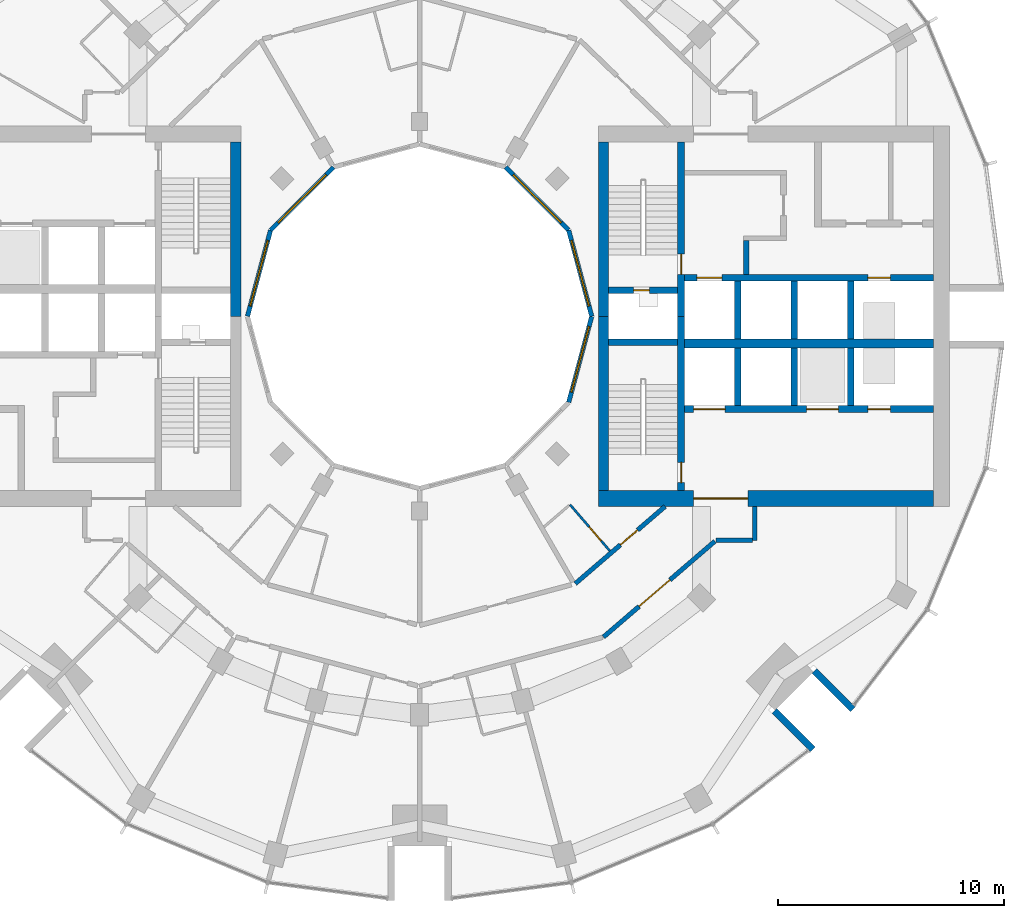
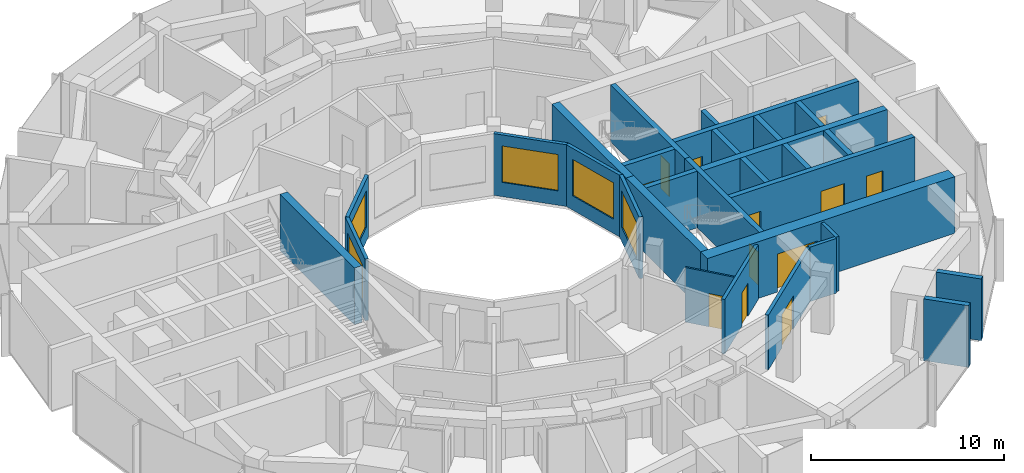
# One storey, part 10 of 15: 30 walls, 12 doors, 5 windows, 17 openings.
"""IFC4 building model written with IfcOpenShell, lengths in metres."""

import ifcopenshell
import ifcopenshell.guid

model = None  # the IFC model being written
_history = None  # IfcOwnerHistory: only IFC2X3 demands one
_inside = {}  # id of a spatial element -> (the spatial element, [elements in it])
_under = {}  # id of a project, library or spatial element -> (it, [spatial elements below it])
_declared = {}  # id of a project -> (the project, [libraries it declares])
_typed = {}  # id of a type object -> (the type object, [elements of that type])
_made_of = {}  # id of a material, layer set ... -> (it, [elements and type objects made of it])


def new_model(schema):
    """Start an empty IFC model of exactly this schema.

    Asked for "IFC4X3", IfcOpenShell would pick the latest addendum, in which some entities
    have other attributes; the version numbers below select the first issue.
    IFC2X3 requires an IfcOwnerHistory on every rooted entity: one is made here for all.
    """
    global model, _history
    if schema == "IFC4X3":
        model = ifcopenshell.file(schema_version=(4, 3, 0, 0))
    else:
        model = ifcopenshell.file(schema=schema)
    _inside.clear()
    _under.clear()
    _declared.clear()
    _typed.clear()
    _made_of.clear()
    _history = None
    if model.schema == "IFC2X3":
        org = make("IfcOrganization", Name="unknown")
        user = make(
            "IfcPersonAndOrganization",
            ThePerson=make("IfcPerson", FamilyName="unknown"),
            TheOrganization=org,
        )
        app = make(
            "IfcApplication",
            ApplicationDeveloper=org,
            Version="unknown",
            ApplicationFullName="unknown",
            ApplicationIdentifier="unknown",
        )
        _history = make(
            "IfcOwnerHistory",
            OwningUser=user,
            OwningApplication=app,
            ChangeAction="ADDED",
            CreationDate=0,
        )
    return model


def make(cls, **values):
    """One entity of the class cls with the attributes given. An attribute that is None is left unset."""
    return model.create_entity(
        cls, **{name: value for name, value in values.items() if value is not None}
    )


def rooted(cls, **values):
    """An entity with a GlobalId (a new one), such as an element, a storey or a relation."""
    return make(cls, GlobalId=ifcopenshell.guid.new(), OwnerHistory=_history, **values)


def si_unit(unit_type, name, prefix=None):
    """IfcSIUnit, for example si_unit("LENGTHUNIT", "METRE", prefix="MILLI")."""
    return make("IfcSIUnit", UnitType=unit_type, Prefix=prefix, Name=name)


def assignment(units):
    """IfcUnitAssignment: the units of a project."""
    return None if units is None else make("IfcUnitAssignment", Units=units)


def point(xyz):
    """IfcCartesianPoint."""
    return None if xyz is None else make("IfcCartesianPoint", Coordinates=xyz)


def direction(xyz):
    """IfcDirection."""
    return None if xyz is None else make("IfcDirection", DirectionRatios=xyz)


def frame(location, z_axis=None, x_axis=None):
    """IfcAxis2Placement3D, a coordinate frame: its origin and axes. An axis left out is left unset."""
    return make(
        "IfcAxis2Placement3D",
        Location=point(location),
        Axis=direction(z_axis),
        RefDirection=direction(x_axis),
    )


def frame_2d(location, x_axis=None):
    """IfcAxis2Placement2D, a coordinate frame in the plane: its origin and x axis."""
    return make(
        "IfcAxis2Placement2D", Location=point(location), RefDirection=direction(x_axis)
    )


def origin():
    """The frame at (0, 0, 0) with its axes left unset."""
    return frame((0.0, 0.0, 0.0))


def place(relative_to, where):
    """IfcLocalPlacement: puts the frame where relative to a parent placement (None: the world)."""
    return make(
        "IfcLocalPlacement", PlacementRelTo=relative_to, RelativePlacement=where
    )


def context(
    kind, dimensions, precision=None, world=None, true_north=None, identifier=None
):
    """IfcGeometricRepresentationContext, for example the 3D "Model" context."""
    return make(
        "IfcGeometricRepresentationContext",
        ContextIdentifier=identifier,
        ContextType=kind,
        CoordinateSpaceDimension=dimensions,
        Precision=precision,
        WorldCoordinateSystem=world,
        TrueNorth=true_north,
    )


def subcontext(parent, identifier, kind, view, scale=None):
    """IfcGeometricRepresentationSubContext, for example "Body" below "Model"."""
    return make(
        "IfcGeometricRepresentationSubContext",
        ContextIdentifier=identifier,
        ContextType=kind,
        ParentContext=parent,
        TargetScale=scale,
        TargetView=view,
    )


def project(units=None, contexts=None):
    """IfcProject with its units and contexts."""
    return rooted(
        "IfcProject",
        Name="project",
        RepresentationContexts=contexts,
        UnitsInContext=assignment(units),
    )


def spatial(cls, under=None, at=None, **own):
    """A site, building, storey or space (cls), placed at a placement, below another one or the project."""
    s = rooted(cls, ObjectPlacement=at, **own)
    if under is not None:
        _under.setdefault(under.id(), (under, []))[1].append(s)
    return s


def profile(cls, at=None, kind="AREA", **sizes):
    """A parametric profile (cls). Its sizes go by their IFC names, for example OverallWidth=200.0."""
    return make(cls, ProfileType=kind, Position=at, **sizes)


def rectangle(**sizes):
    """IfcRectangleProfileDef."""
    return profile("IfcRectangleProfileDef", **sizes)


def extrude(swept, where, along, depth):
    """IfcExtrudedAreaSolid: the profile swept, set in the frame where, extruded along a direction by depth."""
    return make(
        "IfcExtrudedAreaSolid",
        SweptArea=swept,
        Position=where,
        ExtrudedDirection=direction(along),
        Depth=depth,
    )


def shape(context_of_items, identifier, shape_type, items):
    """IfcShapeRepresentation: the items that make up one representation, for example the "Body"."""
    return make(
        "IfcShapeRepresentation",
        ContextOfItems=context_of_items,
        RepresentationIdentifier=identifier,
        RepresentationType=shape_type,
        Items=items,
    )


def material(Name=None, Category=None):
    """IfcMaterial."""
    return make("IfcMaterial", Name=Name, Category=Category)


def layer(
    of_material, thickness, ventilated=None, Name=None, Category=None, Priority=None
):
    """IfcMaterialLayer: one layer of a wall or slab, of a material (None: an air gap)."""
    return make(
        "IfcMaterialLayer",
        Material=of_material,
        LayerThickness=thickness,
        IsVentilated=ventilated,
        Name=Name,
        Category=Category,
        Priority=Priority,
    )


def layer_set(layers, Name=None):
    """IfcMaterialLayerSet."""
    return make("IfcMaterialLayerSet", MaterialLayers=layers, LayerSetName=Name)


def made_of(thing, what):
    """Note that an element or type object is made of a material, layer set ...; save() writes the relation."""
    if what is not None:
        _made_of.setdefault(what.id(), (what, []))[1].append(thing)
    return thing


def type_object(cls, material=None, **own):
    """A type object (cls), such as IfcWallType, which elements share."""
    return made_of(rooted(cls, **own), material)


def element(
    cls,
    number,
    at=None,
    inside=None,
    cuts=None,
    type_object=None,
    material=None,
    context=None,
    identifier="Body",
    shape_type=None,
    held_by="IfcProductDefinitionShape",
    body=None,
    shapes=None,
    **own,
):
    """One element of the class cls, such as IfcWall. Its Tag is "e" and its number.

    at: its placement. inside: the storey or other place that contains it. cuts: it is an
    opening in that element (IfcRelVoidsElement). A single representation is given by context,
    identifier, shape_type and body (its items); several are given by shapes. held_by: the class
    of the entity that holds the representations. save() writes the other relations.
    """
    e = rooted(cls, Tag="e%d" % number, ObjectPlacement=at, **own)
    if body is not None:
        shapes = [shape(context, identifier, shape_type, body)]
    if shapes is not None:
        e.Representation = make(held_by, Representations=shapes)
    if inside is not None:
        _inside.setdefault(inside.id(), (inside, []))[1].append(e)
    if cuts is not None:
        rooted(
            "IfcRelVoidsElement", RelatingBuildingElement=cuts, RelatedOpeningElement=e
        )
    if type_object is not None:
        _typed.setdefault(type_object.id(), (type_object, []))[1].append(e)
    return made_of(e, material)


def fill(opening, filler):
    """IfcRelFillsElement: the door or window that sits in an opening."""
    return rooted(
        "IfcRelFillsElement",
        RelatingOpeningElement=opening,
        RelatedBuildingElement=filler,
    )


def aggregate(whole, parts):
    """IfcRelAggregates: a whole, such as a stair, and the parts it consists of."""
    return rooted("IfcRelAggregates", RelatingObject=whole, RelatedObjects=parts)


def save(model, path):
    """Write the relations noted so far, then the file.

    IfcRelAggregates (storeys below a building ...), IfcRelContainedInSpatialStructure (elements
    in a storey), IfcRelDefinesByType, IfcRelAssociatesMaterial and IfcRelDeclares: one each for
    every whole, place, type object, material and project.
    """
    for whole, parts in _under.values():
        aggregate(whole, parts)
    for where, things in _inside.values():
        rooted(
            "IfcRelContainedInSpatialStructure",
            RelatedElements=things,
            RelatingStructure=where,
        )
    for kind, things in _typed.values():
        rooted("IfcRelDefinesByType", RelatedObjects=things, RelatingType=kind)
    for what, things in _made_of.values():
        rooted("IfcRelAssociatesMaterial", RelatedObjects=things, RelatingMaterial=what)
    for by, libraries in _declared.values():
        rooted("IfcRelDeclares", RelatingContext=by, RelatedDefinitions=libraries)
    model.write(path)


model = new_model("IFC4")

# Units and contexts
model_context = context("Model", 3, precision=1e-05, world=origin(), true_north=direction((0.0, 1.0)))
body_context = subcontext(model_context, "Body", "Model", "MODEL_VIEW")
ifc_project = project(units=[si_unit("LENGTHUNIT", "METRE"), si_unit("AREAUNIT", "SQUARE_METRE"), si_unit("VOLUMEUNIT", "CUBIC_METRE"), si_unit("PLANEANGLEUNIT", "RADIAN"), si_unit("MASSUNIT", "GRAM", prefix="KILO")], contexts=[model_context])

# Site, building, storey
site_placement = place(None, origin())
site = spatial("IfcSite", under=ifc_project, at=site_placement, CompositionType="ELEMENT")
building_placement = place(site_placement, origin())
building = spatial("IfcBuilding", under=site, at=building_placement, Name="Torre Brocal", CompositionType="ELEMENT")
storey_placement = place(building_placement, frame((0.0, 0.0, 138.0)))
storey = spatial("IfcBuildingStorey", under=building, at=storey_placement, Name="L32", CompositionType="ELEMENT", Elevation=138.0)

# Wall
ifc_material_1 = material(Name="Concrete C70", Category="concrete")
ifc_layer_1 = layer(ifc_material_1, 0.25)
ifc_layer_set_1 = layer_set([ifc_layer_1], Name="Concrete C70")
wall_type_1 = type_object("IfcWallType", Name="CORE WALL 250 C70", PredefinedType="SHEAR", material=ifc_layer_set_1)
wall_1_placement = place(storey_placement, frame((94.425048828125, 76.85009765625, 0.0), z_axis=(0.0, 0.0, 1.0), x_axis=(0.0, 1.0, 0.0)))
element("IfcWall", 1, at=wall_1_placement, inside=storey, type_object=wall_type_1, Name="Wall CW250-70", PredefinedType="SHEAR", context=body_context, shape_type="SweptSolid", body=[
    extrude(rectangle(XDim=1.5, YDim=0.25, at=frame_2d((0.75, 0.0))), origin(), (0.0, 0.0, 1.0), 3.580078125),
])

# Wall, opening, door
ifc_material_2 = material(Name="Concrete C70", Category="concrete")
ifc_layer_2 = layer(ifc_material_2, 0.300048828125)
ifc_layer_set_2 = layer_set([ifc_layer_2], Name="Concrete C70")
wall_type_2 = type_object("IfcWallType", Name="CORE WALL 300 C70", PredefinedType="SHEAR", material=ifc_layer_set_2)
wall_2_placement = place(storey_placement, frame((91.550048828125, 75.0, 0.0), z_axis=(0.0, 0.0, 1.0), x_axis=(0.0, 1.0, 0.0)))
wall_2 = element("IfcWall", 2, at=wall_2_placement, inside=storey, type_object=wall_type_2, Name="Wall CW300-70", PredefinedType="SHEAR", context=body_context, shape_type="SweptSolid", body=[
    extrude(rectangle(XDim=7.699951171875, YDim=0.300048828125, at=frame_2d((3.85009765625, 0.0))), origin(), (0.0, 0.0, 1.0), 3.580078125),
])
opening_1_placement = place(wall_2_placement, frame((1.85009765625, 0.0, 0.0)))
opening_1 = element("IfcOpeningElement", 3, at=opening_1_placement, cuts=wall_2, Name="Opening E-D02", PredefinedType="OPENING", context=body_context, shape_type="SweptSolid", body=[
    extrude(rectangle(XDim=0.89990234375, YDim=2.10009765625, at=frame_2d((0.449951171875, 1.050048828125))), frame((0.0, 0.159912109375, 0.0), z_axis=(0.0, -1.0, 0.0), x_axis=(1.0, 0.0, 0.0)), (0.0, 0.0, 1.0), 0.320068359375),
])
ifc_material_3 = material(Name="Steel A653", Category="steel")
door_type_1 = type_object("IfcDoorType", Name="STAIR DOOR FD120 900X2100", OperationType="SINGLE_SWING_RIGHT", PredefinedType="DOOR", material=ifc_material_3)
door_1_placement = place(opening_1_placement, origin())
door_1 = element("IfcDoor", 4, at=door_1_placement, inside=storey, type_object=door_type_1, Name="Door E-D02", OperationType="SINGLE_SWING_LEFT", OverallHeight=2.10009765625, OverallWidth=0.89990234375, PredefinedType="DOOR", context=body_context, shape_type="SweptSolid", body=[
    extrude(rectangle(XDim=0.89990234375, YDim=2.10009765625, at=frame_2d((0.449951171875, 1.050048828125))), frame((0.0, 0.02490234375, 0.0), z_axis=(0.0, -1.0, 0.0), x_axis=(1.0, 0.0, 0.0)), (0.0, 0.0, 1.0), 0.050048828125),
])
fill(opening_1, door_1)

wall_3_placement = place(storey_placement, frame((91.550048828125, 67.300048828125, 0.0), z_axis=(0.0, 0.0, 1.0), x_axis=(0.0, 1.0, 0.0)))
wall_3 = element("IfcWall", 5, at=wall_3_placement, inside=storey, type_object=wall_type_2, Name="Wall CW300-70", PredefinedType="SHEAR", context=body_context, shape_type="SweptSolid", body=[
    extrude(rectangle(XDim=7.699951171875, YDim=0.300048828125, at=frame_2d((3.85009765625, 0.0))), origin(), (0.0, 0.0, 1.0), 3.580078125),
])
opening_2_placement = place(wall_3_placement, frame((0.35009765625, 0.0, 0.0)))
opening_2 = element("IfcOpeningElement", 6, at=opening_2_placement, cuts=wall_3, Name="Opening E-D03", PredefinedType="OPENING", context=body_context, shape_type="SweptSolid", body=[
    extrude(rectangle(XDim=0.89990234375, YDim=2.10009765625, at=frame_2d((0.449951171875, 1.050048828125))), frame((0.0, 0.159912109375, 0.0), z_axis=(0.0, -1.0, 0.0), x_axis=(1.0, 0.0, 0.0)), (0.0, 0.0, 1.0), 0.320068359375),
])
door_2_placement = place(opening_2_placement, origin())
door_2 = element("IfcDoor", 7, at=door_2_placement, inside=storey, type_object=door_type_1, Name="Door E-D03", OperationType="SINGLE_SWING_LEFT", OverallHeight=2.10009765625, OverallWidth=0.89990234375, PredefinedType="DOOR", context=body_context, shape_type="SweptSolid", body=[
    extrude(rectangle(XDim=0.89990234375, YDim=2.10009765625, at=frame_2d((0.449951171875, 1.050048828125))), frame((0.0, 0.02490234375, 0.0), z_axis=(0.0, -1.0, 0.0), x_axis=(1.0, 0.0, 0.0)), (0.0, 0.0, 1.0), 0.050048828125),
])
fill(opening_2, door_2)

wall_4_placement = place(storey_placement, frame((88.35009765625, 76.14990234375, 0.0), z_axis=(0.0, 0.0, 1.0), x_axis=(1.0, 0.0, 0.0)))
wall_4 = element("IfcWall", 8, at=wall_4_placement, inside=storey, type_object=wall_type_2, Name="Wall CW300-70", PredefinedType="SHEAR", context=body_context, shape_type="SweptSolid", body=[
    extrude(rectangle(XDim=3.0498046875, YDim=0.300048828125, at=frame_2d((1.52490234375, 0.0))), origin(), (0.0, 0.0, 1.0), 3.580078125),
])
opening_3_placement = place(wall_4_placement, frame((1.10009765625, 0.0, 0.0)))
opening_3 = element("IfcOpeningElement", 9, at=opening_3_placement, cuts=wall_4, Name="Opening E-D01", PredefinedType="OPENING", context=body_context, shape_type="SweptSolid", body=[
    extrude(rectangle(XDim=0.699951171875, YDim=2.0, at=frame_2d((0.35009765625, 1.0))), frame((0.0, 0.159912109375, 0.0), z_axis=(0.0, -1.0, 0.0), x_axis=(1.0, 0.0, 0.0)), (0.0, 0.0, 1.0), 0.320068359375),
])
ifc_material_4 = material(Name="Steel A653", Category="steel")
door_type_2 = type_object("IfcDoorType", Name="RISER DOOR FD120 700X2000", OperationType="SINGLE_SWING_LEFT", PredefinedType="DOOR", material=ifc_material_4)
door_3_placement = place(opening_3_placement, frame((0.699951171875, 0.0, 0.0), z_axis=(0.0, 0.0, 1.0), x_axis=(-1.0, 0.0, 0.0)))
door_3 = element("IfcDoor", 10, at=door_3_placement, inside=storey, type_object=door_type_2, Name="Door E-D01", OperationType="SINGLE_SWING_RIGHT", OverallHeight=2.0, OverallWidth=0.699951171875, PredefinedType="DOOR", context=body_context, shape_type="SweptSolid", body=[
    extrude(rectangle(XDim=0.699951171875, YDim=2.0, at=frame_2d((0.35009765625, 1.0))), frame((0.0, 0.02490234375, 0.0), z_axis=(0.0, -1.0, 0.0), x_axis=(1.0, 0.0, 0.0)), (0.0, 0.0, 1.0), 0.050048828125),
])
fill(opening_3, door_3)

# Wall
wall_5_placement = place(storey_placement, frame((88.35009765625, 73.85009765625, 0.0), z_axis=(0.0, 0.0, 1.0), x_axis=(1.0, 0.0, 0.0)))
element("IfcWall", 11, at=wall_5_placement, inside=storey, type_object=wall_type_2, Name="Wall CW300-70", PredefinedType="SHEAR", context=body_context, shape_type="SweptSolid", body=[
    extrude(rectangle(XDim=3.0498046875, YDim=0.300048828125, at=frame_2d((1.52490234375, 0.0))), origin(), (0.0, 0.0, 1.0), 3.580078125),
])

# Wall, openings, doors
wall_6_placement = place(storey_placement, frame((91.699951171875, 76.699951171875, 0.0), z_axis=(0.0, 0.0, 1.0), x_axis=(1.0, 0.0, 0.0)))
wall_6 = element("IfcWall", 12, at=wall_6_placement, inside=storey, type_object=wall_type_2, Name="Wall CW300-70", PredefinedType="SHEAR", context=body_context, shape_type="SweptSolid", body=[
    extrude(rectangle(XDim=11.0, YDim=0.300048828125, at=frame_2d((5.5, 0.0))), origin(), (0.0, 0.0, 1.0), 3.580078125),
])
opening_4_placement = place(wall_6_placement, frame((0.550048828125, 0.0, 0.0)))
opening_4 = element("IfcOpeningElement", 13, at=opening_4_placement, cuts=wall_6, Name="Opening LD", PredefinedType="OPENING", context=body_context, shape_type="SweptSolid", body=[
    extrude(rectangle(XDim=1.10009765625, YDim=2.10009765625, at=frame_2d((0.550048828125, 1.050048828125))), frame((0.0, 0.159912109375, 0.0), z_axis=(0.0, -1.0, 0.0), x_axis=(1.0, 0.0, 0.0)), (0.0, 0.0, 1.0), 0.320068359375),
])
opening_5_placement = place(wall_6_placement, frame((8.10009765625, 0.0, 0.0)))
opening_5 = element("IfcOpeningElement", 14, at=opening_5_placement, cuts=wall_6, Name="Opening LD10", PredefinedType="OPENING", context=body_context, shape_type="SweptSolid", body=[
    extrude(rectangle(XDim=1.0, YDim=2.10009765625, at=frame_2d((0.5, 1.050048828125))), frame((0.0, 0.159912109375, 0.0), z_axis=(0.0, -1.0, 0.0), x_axis=(1.0, 0.0, 0.0)), (0.0, 0.0, 1.0), 0.320068359375),
])
ifc_material_5 = material(Name="Stainless steel AISI 316", Category="steel")
door_type_3 = type_object("IfcDoorType", Name="LIFT LANDING DOOR 1000X2100", OperationType="DOUBLE_DOOR_SLIDING", PredefinedType="DOOR", material=ifc_material_5)
door_4_placement = place(opening_5_placement, origin())
door_4 = element("IfcDoor", 15, at=door_4_placement, inside=storey, type_object=door_type_3, Name="Door LD10", OperationType="DOUBLE_DOOR_SLIDING", OverallHeight=2.10009765625, OverallWidth=1.0, PredefinedType="DOOR", context=body_context, shape_type="SweptSolid", body=[
    extrude(rectangle(XDim=1.0, YDim=2.10009765625, at=frame_2d((0.5, 1.050048828125))), frame((0.0, 0.02490234375, 0.0), z_axis=(0.0, -1.0, 0.0), x_axis=(1.0, 0.0, 0.0)), (0.0, 0.0, 1.0), 0.050048828125),
])
fill(opening_5, door_4)
ifc_material_6 = material(Name="Stainless steel AISI 316", Category="steel")
door_type_4 = type_object("IfcDoorType", Name="LIFT LANDING DOOR 1100X2100", OperationType="DOUBLE_DOOR_SLIDING", PredefinedType="DOOR", material=ifc_material_6)
door_5_placement = place(opening_4_placement, origin())
door_5 = element("IfcDoor", 16, at=door_5_placement, inside=storey, type_object=door_type_4, Name="Door LD", OperationType="DOUBLE_DOOR_SLIDING", OverallHeight=2.10009765625, OverallWidth=1.10009765625, PredefinedType="DOOR", context=body_context, shape_type="SweptSolid", body=[
    extrude(rectangle(XDim=1.10009765625, YDim=2.10009765625, at=frame_2d((0.550048828125, 1.050048828125))), frame((0.0, 0.02490234375, 0.0), z_axis=(0.0, -1.0, 0.0), x_axis=(1.0, 0.0, 0.0)), (0.0, 0.0, 1.0), 0.050048828125),
])
fill(opening_4, door_5)

wall_7_placement = place(storey_placement, frame((91.699951171875, 70.89990234375, 0.0), z_axis=(0.0, 0.0, 1.0), x_axis=(1.0, 0.0, 0.0)))
wall_7 = element("IfcWall", 17, at=wall_7_placement, inside=storey, type_object=wall_type_2, Name="Wall CW300-70", PredefinedType="SHEAR", context=body_context, shape_type="SweptSolid", body=[
    extrude(rectangle(XDim=11.0, YDim=0.300048828125, at=frame_2d((5.5, 0.0))), origin(), (0.0, 0.0, 1.0), 3.580078125),
])
opening_6_placement = place(wall_7_placement, frame((0.39990234375, 0.0, 0.0)))
opening_6 = element("IfcOpeningElement", 18, at=opening_6_placement, cuts=wall_7, Name="Opening LD14", PredefinedType="OPENING", context=body_context, shape_type="SweptSolid", body=[
    extrude(rectangle(XDim=1.39990234375, YDim=2.10009765625, at=frame_2d((0.699951171875, 1.050048828125))), frame((0.0, 0.159912109375, 0.0), z_axis=(0.0, -1.0, 0.0), x_axis=(1.0, 0.0, 0.0)), (0.0, 0.0, 1.0), 0.320068359375),
])
opening_7_placement = place(wall_7_placement, frame((5.39990234375, 0.0, 0.0)))
opening_7 = element("IfcOpeningElement", 19, at=opening_7_placement, cuts=wall_7, Name="Opening LD14", PredefinedType="OPENING", context=body_context, shape_type="SweptSolid", body=[
    extrude(rectangle(XDim=1.39990234375, YDim=2.10009765625, at=frame_2d((0.699951171875, 1.050048828125))), frame((0.0, 0.159912109375, 0.0), z_axis=(0.0, -1.0, 0.0), x_axis=(1.0, 0.0, 0.0)), (0.0, 0.0, 1.0), 0.320068359375),
])
opening_8_placement = place(wall_7_placement, frame((8.10009765625, 0.0, 0.0)))
opening_8 = element("IfcOpeningElement", 20, at=opening_8_placement, cuts=wall_7, Name="Opening LD10", PredefinedType="OPENING", context=body_context, shape_type="SweptSolid", body=[
    extrude(rectangle(XDim=1.0, YDim=2.10009765625, at=frame_2d((0.5, 1.050048828125))), frame((0.0, 0.159912109375, 0.0), z_axis=(0.0, -1.0, 0.0), x_axis=(1.0, 0.0, 0.0)), (0.0, 0.0, 1.0), 0.320068359375),
])
door_6_placement = place(opening_8_placement, origin())
door_6 = element("IfcDoor", 21, at=door_6_placement, inside=storey, type_object=door_type_3, Name="Door LD10", OperationType="DOUBLE_DOOR_SLIDING", OverallHeight=2.10009765625, OverallWidth=1.0, PredefinedType="DOOR", context=body_context, shape_type="SweptSolid", body=[
    extrude(rectangle(XDim=1.0, YDim=2.10009765625, at=frame_2d((0.5, 1.050048828125))), frame((0.0, 0.02490234375, 0.0), z_axis=(0.0, -1.0, 0.0), x_axis=(1.0, 0.0, 0.0)), (0.0, 0.0, 1.0), 0.050048828125),
])
fill(opening_8, door_6)
ifc_material_7 = material(Name="Stainless steel AISI 316", Category="steel")
door_type_5 = type_object("IfcDoorType", Name="LIFT LANDING DOOR 1400X2100", OperationType="DOUBLE_DOOR_SLIDING", PredefinedType="DOOR", material=ifc_material_7)
door_7_placement = place(opening_6_placement, origin())
door_7 = element("IfcDoor", 22, at=door_7_placement, inside=storey, type_object=door_type_5, Name="Door LD14", OperationType="DOUBLE_DOOR_SLIDING", OverallHeight=2.10009765625, OverallWidth=1.39990234375, PredefinedType="DOOR", context=body_context, shape_type="SweptSolid", body=[
    extrude(rectangle(XDim=1.39990234375, YDim=2.10009765625, at=frame_2d((0.699951171875, 1.050048828125))), frame((0.0, 0.02490234375, 0.0), z_axis=(0.0, -1.0, 0.0), x_axis=(1.0, 0.0, 0.0)), (0.0, 0.0, 1.0), 0.050048828125),
])
fill(opening_6, door_7)
door_8_placement = place(opening_7_placement, origin())
door_8 = element("IfcDoor", 23, at=door_8_placement, inside=storey, type_object=door_type_5, Name="Door LD14", OperationType="DOUBLE_DOOR_SLIDING", OverallHeight=2.10009765625, OverallWidth=1.39990234375, PredefinedType="DOOR", context=body_context, shape_type="SweptSolid", body=[
    extrude(rectangle(XDim=1.39990234375, YDim=2.10009765625, at=frame_2d((0.699951171875, 1.050048828125))), frame((0.0, 0.02490234375, 0.0), z_axis=(0.0, -1.0, 0.0), x_axis=(1.0, 0.0, 0.0)), (0.0, 0.0, 1.0), 0.050048828125),
])
fill(opening_7, door_8)

# Walls
for number, where, z_axis, x_axis, name in (
    (24, (94.050048828125, 74.0, 0.0), (0.0, 0.0, 1.0), (0.0, 1.0, 0.0), "Wall CW300-70"),
    (25, (96.550048828125, 74.0, 0.0), (0.0, 0.0, 1.0), (0.0, 1.0, 0.0), "Wall CW300-70"),
    (26, (99.050048828125, 74.0, 0.0), (0.0, 0.0, 1.0), (0.0, 1.0, 0.0), "Wall CW300-70"),
    (27, (94.050048828125, 71.050048828125, 0.0), (0.0, 0.0, 1.0), (0.0, 1.0, 0.0), "Wall CW300-70"),
    (28, (96.550048828125, 71.050048828125, 0.0), (0.0, 0.0, 1.0), (0.0, 1.0, 0.0), "Wall CW300-70"),
    (29, (99.050048828125, 71.050048828125, 0.0), (0.0, 0.0, 1.0), (0.0, 1.0, 0.0), "Wall CW300-70"),
):
    element("IfcWall", number, at=place(storey_placement, frame(where, z_axis=z_axis, x_axis=x_axis)), inside=storey, type_object=wall_type_2, Name=name, PredefinedType="SHEAR", context=body_context, shape_type="SweptSolid", body=[
        extrude(rectangle(XDim=2.550048828125, YDim=0.300048828125, at=frame_2d((1.27490234375, 0.0))), origin(), (0.0, 0.0, 1.0), 3.580078125),
    ])
ifc_material_8 = material(Name="Concrete C70", Category="concrete")
ifc_layer_3 = layer(ifc_material_8, 0.39990234375)
ifc_layer_set_3 = layer_set([ifc_layer_3], Name="Concrete C70")
wall_type_3 = type_object("IfcWallType", Name="CORE WALL 400 C70", PredefinedType="SHEAR", material=ifc_layer_set_3)
wall_8_placement = place(storey_placement, frame((91.699951171875, 73.800048828125, 0.0), z_axis=(0.0, 0.0, 1.0), x_axis=(1.0, 0.0, 0.0)))
element("IfcWall", 30, at=wall_8_placement, inside=storey, type_object=wall_type_3, Name="Wall CW400-70", PredefinedType="SHEAR", context=body_context, shape_type="SweptSolid", body=[
    extrude(rectangle(XDim=11.0, YDim=0.39990234375, at=frame_2d((5.5, 0.0))), origin(), (0.0, 0.0, 1.0), 3.580078125),
])
ifc_material_9 = material(Name="Concrete C70", Category="concrete")
ifc_layer_4 = layer(ifc_material_9, 0.449951171875)
ifc_layer_set_4 = layer_set([ifc_layer_4], Name="Concrete C70")
wall_type_4 = type_object("IfcWallType", Name="CORE WALL 450 C70", PredefinedType="SHEAR", material=ifc_layer_set_4)
for number, where, z_axis, x_axis, name in (
    (31, (88.125, 75.0, 0.0), (0.0, 0.0, 1.0), (0.0, 1.0, 0.0), "Wall CW450-70"),
    (32, (88.125, 67.300048828125, 0.0), (0.0, 0.0, 1.0), (0.0, 1.0, 0.0), "Wall CW450-70"),
    (33, (71.875, 82.699951171875, 0.0), (0.0, 0.0, 1.0), (0.0, -1.0, 0.0), "Wall CW450-70"),
):
    element("IfcWall", number, at=place(storey_placement, frame(where, z_axis=z_axis, x_axis=x_axis)), inside=storey, type_object=wall_type_4, Name=name, PredefinedType="SHEAR", context=body_context, shape_type="SweptSolid", body=[
        extrude(rectangle(XDim=7.699951171875, YDim=0.449951171875, at=frame_2d((3.85009765625, 0.0))), origin(), (0.0, 0.0, 1.0), 3.580078125),
    ])

# Wall, opening, door
ifc_material_10 = material(Name="Concrete C70", Category="concrete")
ifc_layer_5 = layer(ifc_material_10, 0.699951171875)
ifc_layer_set_5 = layer_set([ifc_layer_5], Name="Concrete C70")
wall_type_5 = type_object("IfcWallType", Name="CORE WALL 700 C70", PredefinedType="SHEAR", material=ifc_layer_set_5)
wall_9_placement = place(storey_placement, frame((87.89990234375, 66.949951171875, 0.0), z_axis=(0.0, 0.0, 1.0), x_axis=(1.0, 0.0, 0.0)))
wall_9 = element("IfcWall", 34, at=wall_9_placement, inside=storey, type_object=wall_type_5, Name="Wall CW700-70", PredefinedType="SHEAR", context=body_context, shape_type="SweptSolid", body=[
    extrude(rectangle(XDim=14.800048828125, YDim=0.699951171875, at=frame_2d((7.39990234375, 0.0))), origin(), (0.0, 0.0, 1.0), 3.580078125),
])
opening_9_placement = place(wall_9_placement, frame((4.199951171875, 0.0, 0.0)))
opening_9 = element("IfcOpeningElement", 35, at=opening_9_placement, cuts=wall_9, Name="Opening E-D27", PredefinedType="OPENING", context=body_context, shape_type="SweptSolid", body=[
    extrude(rectangle(XDim=2.39990234375, YDim=2.39990234375, at=frame_2d((1.199951171875, 1.199951171875))), frame((0.0, 0.35986328125, 0.0), z_axis=(0.0, -1.0, 0.0), x_axis=(1.0, 0.0, 0.0)), (0.0, 0.0, 1.0), 0.719970703125),
])
ifc_material_11 = material(Name="Steel A653", Category="steel")
door_type_6 = type_object("IfcDoorType", Name="DOUBLE FIRE DOOR FD90 2400X2400", OperationType="DOUBLE_DOOR_SINGLE_SWING", PredefinedType="DOOR", material=ifc_material_11)
door_9_placement = place(opening_9_placement, origin())
door_9 = element("IfcDoor", 36, at=door_9_placement, inside=storey, type_object=door_type_6, Name="Door E-D27", OperationType="DOUBLE_DOOR_SINGLE_SWING", OverallHeight=2.39990234375, OverallWidth=2.39990234375, PredefinedType="DOOR", context=body_context, shape_type="SweptSolid", body=[
    extrude(rectangle(XDim=2.39990234375, YDim=2.39990234375, at=frame_2d((1.199951171875, 1.199951171875))), frame((0.0, 0.02490234375, 0.0), z_axis=(0.0, -1.0, 0.0), x_axis=(1.0, 0.0, 0.0)), (0.0, 0.0, 1.0), 0.050048828125),
])
fill(opening_9, door_9)

# Walls
ifc_material_12 = material(Name="Concrete C70", Category="concrete")
ifc_layer_6 = layer(ifc_material_12, 0.300048828125)
ifc_layer_set_6 = layer_set([ifc_layer_6], Name="Concrete C70")
wall_type_6 = type_object("IfcWallType", Name="NOTCH RETURN WALL 300 C70", PredefinedType="NOTDEFINED", material=ifc_layer_set_6)
for number, where, z_axis, x_axis, name in (
    (37, (95.662353515625, 57.56982421875, 0.0), (0.0, 0.0, 1.0), (0.707106781187, -0.707106781187, 0.0), "NOTCH RETURN WALL"),
    (38, (97.43017578125, 59.337646484375, 0.0), (0.0, 0.0, 1.0), (0.707106781187, -0.707106781187, 0.0), "NOTCH RETURN WALL"),
):
    element("IfcWall", number, at=place(storey_placement, frame(where, z_axis=z_axis, x_axis=x_axis)), inside=storey, type_object=wall_type_6, Name=name, PredefinedType="NOTDEFINED", context=body_context, shape_type="SweptSolid", body=[
        extrude(rectangle(XDim=2.415771484375, YDim=0.300048828125, at=frame_2d((1.2080078125, 0.0))), origin(), (0.0, 0.0, 1.0), 3.89990234375),
    ])

# Wall, opening, door
ifc_material_13 = material(Name="Gypsum board", Category="Gypsum")
ifc_layer_7 = layer(ifc_material_13, 0.10009765625)
ifc_layer_set_7 = layer_set([ifc_layer_7], Name="Gypsum board")
wall_type_7 = type_object("IfcWallType", Name="PARTITION 100", PredefinedType="PARTITIONING", material=ifc_layer_set_7)
wall_10_placement = place(storey_placement, frame((86.64306640625, 66.680908203125, 0.0), z_axis=(0.0, 0.0, 1.0), x_axis=(0.652264876065, -0.757991115682, 0.0)))
wall_10 = element("IfcWall", 39, at=wall_10_placement, inside=storey, type_object=wall_type_7, Name="BATHROOM WALL", PredefinedType="PARTITIONING", context=body_context, shape_type="SweptSolid", body=[
    extrude(rectangle(XDim=2.699462890625, YDim=0.10009765625, at=frame_2d((1.349609375, 0.0))), origin(), (0.0, 0.0, 1.0), 3.449951171875),
])
opening_10_placement = place(wall_10_placement, frame((1.2998046875, 0.0, 0.0)))
opening_10 = element("IfcOpeningElement", 40, at=opening_10_placement, cuts=wall_10, Name="Opening E03-D35", PredefinedType="OPENING", context=body_context, shape_type="SweptSolid", body=[
    extrude(rectangle(XDim=0.800048828125, YDim=2.10009765625, at=frame_2d((0.39990234375, 1.050048828125))), frame((0.0, 0.06005859375, 0.0), z_axis=(0.0, -1.0, 0.0), x_axis=(1.0, 0.0, 0.0)), (0.0, 0.0, 1.0), 0.1201171875),
])
ifc_material_14 = material(Name="Timber", Category="wood")
door_type_7 = type_object("IfcDoorType", Name="BATHROOM DOOR 800X2100", OperationType="SINGLE_SWING_LEFT", PredefinedType="DOOR", material=ifc_material_14)
door_10_placement = place(opening_10_placement, frame((0.800048828125, 0.0, 0.0), z_axis=(0.0, 0.0, 1.0), x_axis=(-1.0, 0.0, 0.0)))
door_10 = element("IfcDoor", 41, at=door_10_placement, inside=storey, type_object=door_type_7, Name="E03-D35", OperationType="SINGLE_SWING_LEFT", OverallHeight=2.10009765625, OverallWidth=0.800048828125, PredefinedType="DOOR", context=body_context, shape_type="SweptSolid", body=[
    extrude(rectangle(XDim=0.800048828125, YDim=2.10009765625, at=frame_2d((0.39990234375, 1.050048828125))), frame((0.0, 0.02490234375, 0.0), z_axis=(0.0, -1.0, 0.0), x_axis=(1.0, 0.0, 0.0)), (0.0, 0.0, 1.0), 0.050048828125),
])
fill(opening_10, door_10)

ifc_material_15 = material(Name="Gypsum board", Category="Gypsum")
ifc_layer_8 = layer(ifc_material_15, 0.199951171875)
ifc_layer_set_8 = layer_set([ifc_layer_8], Name="Gypsum board")
wall_type_8 = type_object("IfcWallType", Name="PARTITION 200 EI60", PredefinedType="PARTITIONING", material=ifc_layer_set_8)
wall_11_placement = place(storey_placement, frame((86.876953125, 63.189208984375, 0.0), z_axis=(0.0, 0.0, 1.0), x_axis=(0.758164888471, 0.652062881853, 0.0)))
wall_11 = element("IfcWall", 42, at=wall_11_placement, inside=storey, type_object=wall_type_8, Name="GUESTROOM CORRIDOR WALL", PredefinedType="PARTITIONING", context=body_context, shape_type="SweptSolid", body=[
    extrude(rectangle(XDim=5.230224609375, YDim=0.199951171875, at=frame_2d((2.615234375, 0.0))), origin(), (0.0, 0.0, 1.0), 3.449951171875),
])
opening_11_placement = place(wall_11_placement, frame((2.63037109375, 0.0, 0.0)))
opening_11 = element("IfcOpeningElement", 43, at=opening_11_placement, cuts=wall_11, Name="Opening E03-D34", PredefinedType="OPENING", context=body_context, shape_type="SweptSolid", body=[
    extrude(rectangle(XDim=1.0, YDim=2.10009765625, at=frame_2d((0.5, 1.050048828125))), frame((0.0, 0.10986328125, 0.0), z_axis=(0.0, -1.0, 0.0), x_axis=(1.0, 0.0, 0.0)), (0.0, 0.0, 1.0), 0.219970703125),
])
ifc_material_16 = material(Name="Timber", Category="wood")
door_type_8 = type_object("IfcDoorType", Name="FLAT ENTRY DOOR FD30S 1000X2100", OperationType="SINGLE_SWING_RIGHT", PredefinedType="DOOR", material=ifc_material_16)
door_11_placement = place(opening_11_placement, origin())
door_11 = element("IfcDoor", 44, at=door_11_placement, inside=storey, type_object=door_type_8, Name="E03-D34", OperationType="SINGLE_SWING_LEFT", OverallHeight=2.10009765625, OverallWidth=1.0, PredefinedType="DOOR", context=body_context, shape_type="SweptSolid", body=[
    extrude(rectangle(XDim=1.0, YDim=2.10009765625, at=frame_2d((0.5, 1.050048828125))), frame((0.0, 0.02490234375, 0.0), z_axis=(0.0, -1.0, 0.0), x_axis=(1.0, 0.0, 0.0)), (0.0, 0.0, 1.0), 0.050048828125),
])
fill(opening_11, door_11)

wall_12_placement = place(storey_placement, frame((88.122802734375, 60.8310546875, 0.0), z_axis=(0.0, 0.0, 1.0), x_axis=(0.758118199374, 0.652117164149, 0.0)))
wall_12 = element("IfcWall", 45, at=wall_12_placement, inside=storey, type_object=wall_type_8, Name="CORRIDOR WALL", PredefinedType="PARTITIONING", context=body_context, shape_type="SweptSolid", body=[
    extrude(rectangle(XDim=6.48583984375, YDim=0.199951171875, at=frame_2d((3.242919921875, 0.0))), origin(), (0.0, 0.0, 1.0), 3.449951171875),
])
opening_12_placement = place(wall_12_placement, frame((2.07275390625, 0.0, 0.0)))
opening_12 = element("IfcOpeningElement", 46, at=opening_12_placement, cuts=wall_12, Name="Opening E03-D23", PredefinedType="OPENING", context=body_context, shape_type="SweptSolid", body=[
    extrude(rectangle(XDim=1.800048828125, YDim=2.10009765625, at=frame_2d((0.89990234375, 1.050048828125))), frame((0.0, 0.10986328125, 0.0), z_axis=(0.0, -1.0, 0.0), x_axis=(1.0, 0.0, 0.0)), (0.0, 0.0, 1.0), 0.219970703125),
])
ifc_material_17 = material(Name="Timber", Category="wood")
door_type_9 = type_object("IfcDoorType", Name="DOUBLE DOOR 1800X2100", OperationType="DOUBLE_DOOR_SINGLE_SWING", PredefinedType="DOOR", material=ifc_material_17)
door_12_placement = place(opening_12_placement, frame((1.800048828125, 0.0, 0.0), z_axis=(0.0, 0.0, 1.0), x_axis=(-1.0, 0.0, 0.0)))
door_12 = element("IfcDoor", 47, at=door_12_placement, inside=storey, type_object=door_type_9, Name="E03-D23", OperationType="DOUBLE_DOOR_SINGLE_SWING", OverallHeight=2.10009765625, OverallWidth=1.800048828125, PredefinedType="DOOR", context=body_context, shape_type="SweptSolid", body=[
    extrude(rectangle(XDim=1.800048828125, YDim=2.10009765625, at=frame_2d((0.89990234375, 1.050048828125))), frame((0.0, 0.02490234375, 0.0), z_axis=(0.0, -1.0, 0.0), x_axis=(1.0, 0.0, 0.0)), (0.0, 0.0, 1.0), 0.050048828125),
])
fill(opening_12, door_12)

# Walls
wall_13_placement = place(storey_placement, frame((93.0849609375, 65.10009765625, 0.0), z_axis=(0.0, 0.0, 1.0), x_axis=(1.0, 0.0, 0.0)))
element("IfcWall", 48, at=wall_13_placement, inside=storey, type_object=wall_type_8, Name="CORRIDOR WALL", PredefinedType="PARTITIONING", context=body_context, shape_type="SweptSolid", body=[
    extrude(rectangle(XDim=1.614990234375, YDim=0.199951171875, at=frame_2d((0.8076171875, 0.0))), origin(), (0.0, 0.0, 1.0), 3.449951171875),
])
wall_14_placement = place(storey_placement, frame((94.800048828125, 65.10009765625, 0.0), z_axis=(0.0, 0.0, 1.0), x_axis=(0.0, 1.0, 0.0)))
element("IfcWall", 49, at=wall_14_placement, inside=storey, type_object=wall_type_8, Name="CORRIDOR WALL", PredefinedType="PARTITIONING", context=body_context, shape_type="SweptSolid", body=[
    extrude(rectangle(XDim=1.4990234375, YDim=0.199951171875, at=frame_2d((0.74951171875, 0.0))), origin(), (0.0, 0.0, 1.0), 3.449951171875),
])

# Wall, opening, window
ifc_material_18 = material(Name="Concrete C40", Category="concrete")
ifc_layer_9 = layer(ifc_material_18, 0.199951171875)
ifc_layer_set_9 = layer_set([ifc_layer_9], Name="Concrete C40")
wall_type_9 = type_object("IfcWallType", Name="WELL FACADE WALL 200", PredefinedType="NOTDEFINED", material=ifc_layer_set_9)
wall_15_placement = place(storey_placement, frame((87.603515625, 75.0, 0.0), z_axis=(0.0, 0.0, 1.0), x_axis=(-0.258789828301, 0.965933654434, 0.0)))
wall_15 = element("IfcWall", 50, at=wall_15_placement, inside=storey, type_object=wall_type_9, Name="WELL FACADE WALL", PredefinedType="NOTDEFINED", context=body_context, shape_type="SweptSolid", body=[
    extrude(rectangle(XDim=3.935791015625, YDim=0.199951171875, at=frame_2d((1.9677734375, 0.0))), origin(), (0.0, 0.0, 1.0), 3.89990234375),
])
opening_13_placement = place(wall_15_placement, frame((0.468017578125, 0.0, 0.89990234375)))
opening_13 = element("IfcOpeningElement", 51, at=opening_13_placement, cuts=wall_15, Name="Opening W1", PredefinedType="OPENING", context=body_context, shape_type="SweptSolid", body=[
    extrude(rectangle(XDim=3.0, YDim=2.300048828125, at=frame_2d((1.5, 1.14990234375))), frame((0.0, 0.10986328125, 0.0), z_axis=(0.0, -1.0, 0.0), x_axis=(1.0, 0.0, 0.0)), (0.0, 0.0, 1.0), 0.219970703125),
])
ifc_material_19 = material(Name="Aluminium and glass", Category="aluminium")
window_type = type_object("IfcWindowType", Name="WELL WINDOW 3000X2300", PartitioningType="SINGLE_PANEL", PredefinedType="WINDOW", material=ifc_material_19)
window_1_placement = place(opening_13_placement, origin())
window_1 = element("IfcWindow", 52, at=window_1_placement, inside=storey, type_object=window_type, Name="WELL WINDOW 3000X2300", OverallHeight=2.300048828125, OverallWidth=3.0, PartitioningType="SINGLE_PANEL", PredefinedType="WINDOW", context=body_context, shape_type="SweptSolid", body=[
    extrude(rectangle(XDim=3.0, YDim=2.300048828125, at=frame_2d((1.5, 1.14990234375))), frame((0.0, 0.030029296875, 0.0), z_axis=(0.0, -1.0, 0.0), x_axis=(1.0, 0.0, 0.0)), (0.0, 0.0, 1.0), 0.06005859375),
])
fill(opening_13, window_1)

wall_16_placement = place(storey_placement, frame((86.5849609375, 78.8017578125, 0.0), z_axis=(0.0, 0.0, 1.0), x_axis=(-0.707106781187, 0.707106781187, 0.0)))
wall_16 = element("IfcWall", 53, at=wall_16_placement, inside=storey, type_object=wall_type_9, Name="WELL FACADE WALL", PredefinedType="NOTDEFINED", context=body_context, shape_type="SweptSolid", body=[
    extrude(rectangle(XDim=3.93603515625, YDim=0.199951171875, at=frame_2d((1.968017578125, 0.0))), origin(), (0.0, 0.0, 1.0), 3.89990234375),
])
opening_14_placement = place(wall_16_placement, frame((0.468017578125, 0.0, 0.89990234375)))
opening_14 = element("IfcOpeningElement", 54, at=opening_14_placement, cuts=wall_16, Name="Opening W1", PredefinedType="OPENING", context=body_context, shape_type="SweptSolid", body=[
    extrude(rectangle(XDim=3.0, YDim=2.300048828125, at=frame_2d((1.5, 1.14990234375))), frame((0.0, 0.10986328125, 0.0), z_axis=(0.0, -1.0, 0.0), x_axis=(1.0, 0.0, 0.0)), (0.0, 0.0, 1.0), 0.219970703125),
])
window_2_placement = place(opening_14_placement, origin())
window_2 = element("IfcWindow", 55, at=window_2_placement, inside=storey, type_object=window_type, Name="WELL WINDOW 3000X2300", OverallHeight=2.300048828125, OverallWidth=3.0, PartitioningType="SINGLE_PANEL", PredefinedType="WINDOW", context=body_context, shape_type="SweptSolid", body=[
    extrude(rectangle(XDim=3.0, YDim=2.300048828125, at=frame_2d((1.5, 1.14990234375))), frame((0.0, 0.030029296875, 0.0), z_axis=(0.0, -1.0, 0.0), x_axis=(1.0, 0.0, 0.0)), (0.0, 0.0, 1.0), 0.06005859375),
])
fill(opening_14, window_2)

wall_17_placement = place(storey_placement, frame((76.1982421875, 81.5849609375, 0.0), z_axis=(0.0, 0.0, 1.0), x_axis=(-0.707106781187, -0.707106781187, 0.0)))
wall_17 = element("IfcWall", 56, at=wall_17_placement, inside=storey, type_object=wall_type_9, Name="WELL FACADE WALL", PredefinedType="NOTDEFINED", context=body_context, shape_type="SweptSolid", body=[
    extrude(rectangle(XDim=3.93603515625, YDim=0.199951171875, at=frame_2d((1.968017578125, 0.0))), origin(), (0.0, 0.0, 1.0), 3.89990234375),
])
opening_15_placement = place(wall_17_placement, frame((0.468017578125, 0.0, 0.89990234375)))
opening_15 = element("IfcOpeningElement", 57, at=opening_15_placement, cuts=wall_17, Name="Opening W1", PredefinedType="OPENING", context=body_context, shape_type="SweptSolid", body=[
    extrude(rectangle(XDim=3.0, YDim=2.300048828125, at=frame_2d((1.5, 1.14990234375))), frame((0.0, 0.10986328125, 0.0), z_axis=(0.0, -1.0, 0.0), x_axis=(1.0, 0.0, 0.0)), (0.0, 0.0, 1.0), 0.219970703125),
])
window_3_placement = place(opening_15_placement, origin())
window_3 = element("IfcWindow", 58, at=window_3_placement, inside=storey, type_object=window_type, Name="WELL WINDOW 3000X2300", OverallHeight=2.300048828125, OverallWidth=3.0, PartitioningType="SINGLE_PANEL", PredefinedType="WINDOW", context=body_context, shape_type="SweptSolid", body=[
    extrude(rectangle(XDim=3.0, YDim=2.300048828125, at=frame_2d((1.5, 1.14990234375))), frame((0.0, 0.030029296875, 0.0), z_axis=(0.0, -1.0, 0.0), x_axis=(1.0, 0.0, 0.0)), (0.0, 0.0, 1.0), 0.06005859375),
])
fill(opening_15, window_3)

wall_18_placement = place(storey_placement, frame((73.4150390625, 78.8017578125, 0.0), z_axis=(0.0, 0.0, 1.0), x_axis=(-0.258789828301, -0.965933654434, 0.0)))
wall_18 = element("IfcWall", 59, at=wall_18_placement, inside=storey, type_object=wall_type_9, Name="WELL FACADE WALL", PredefinedType="NOTDEFINED", context=body_context, shape_type="SweptSolid", body=[
    extrude(rectangle(XDim=3.935791015625, YDim=0.199951171875, at=frame_2d((1.9677734375, 0.0))), origin(), (0.0, 0.0, 1.0), 3.89990234375),
])
opening_16_placement = place(wall_18_placement, frame((0.468017578125, 0.0, 0.89990234375)))
opening_16 = element("IfcOpeningElement", 60, at=opening_16_placement, cuts=wall_18, Name="Opening W1", PredefinedType="OPENING", context=body_context, shape_type="SweptSolid", body=[
    extrude(rectangle(XDim=3.0, YDim=2.300048828125, at=frame_2d((1.5, 1.14990234375))), frame((0.0, 0.10986328125, 0.0), z_axis=(0.0, -1.0, 0.0), x_axis=(1.0, 0.0, 0.0)), (0.0, 0.0, 1.0), 0.219970703125),
])
window_4_placement = place(opening_16_placement, origin())
window_4 = element("IfcWindow", 61, at=window_4_placement, inside=storey, type_object=window_type, Name="WELL WINDOW 3000X2300", OverallHeight=2.300048828125, OverallWidth=3.0, PartitioningType="SINGLE_PANEL", PredefinedType="WINDOW", context=body_context, shape_type="SweptSolid", body=[
    extrude(rectangle(XDim=3.0, YDim=2.300048828125, at=frame_2d((1.5, 1.14990234375))), frame((0.0, 0.030029296875, 0.0), z_axis=(0.0, -1.0, 0.0), x_axis=(1.0, 0.0, 0.0)), (0.0, 0.0, 1.0), 0.06005859375),
])
fill(opening_16, window_4)

wall_19_placement = place(storey_placement, frame((86.5849609375, 71.1982421875, 0.0), z_axis=(0.0, 0.0, 1.0), x_axis=(0.258789828301, 0.965933654434, 0.0)))
wall_19 = element("IfcWall", 62, at=wall_19_placement, inside=storey, type_object=wall_type_9, Name="WELL FACADE WALL", PredefinedType="NOTDEFINED", context=body_context, shape_type="SweptSolid", body=[
    extrude(rectangle(XDim=3.935791015625, YDim=0.199951171875, at=frame_2d((1.9677734375, 0.0))), origin(), (0.0, 0.0, 1.0), 3.89990234375),
])
opening_17_placement = place(wall_19_placement, frame((0.468017578125, 0.0, 0.89990234375)))
opening_17 = element("IfcOpeningElement", 63, at=opening_17_placement, cuts=wall_19, Name="Opening W1", PredefinedType="OPENING", context=body_context, shape_type="SweptSolid", body=[
    extrude(rectangle(XDim=3.0, YDim=2.300048828125, at=frame_2d((1.5, 1.14990234375))), frame((0.0, 0.10986328125, 0.0), z_axis=(0.0, -1.0, 0.0), x_axis=(1.0, 0.0, 0.0)), (0.0, 0.0, 1.0), 0.219970703125),
])
window_5_placement = place(opening_17_placement, origin())
window_5 = element("IfcWindow", 64, at=window_5_placement, inside=storey, type_object=window_type, Name="WELL WINDOW 3000X2300", OverallHeight=2.300048828125, OverallWidth=3.0, PartitioningType="SINGLE_PANEL", PredefinedType="WINDOW", context=body_context, shape_type="SweptSolid", body=[
    extrude(rectangle(XDim=3.0, YDim=2.300048828125, at=frame_2d((1.5, 1.14990234375))), frame((0.0, 0.030029296875, 0.0), z_axis=(0.0, -1.0, 0.0), x_axis=(1.0, 0.0, 0.0)), (0.0, 0.0, 1.0), 0.06005859375),
])
fill(opening_17, window_5)

save(model, "model.ifc")
